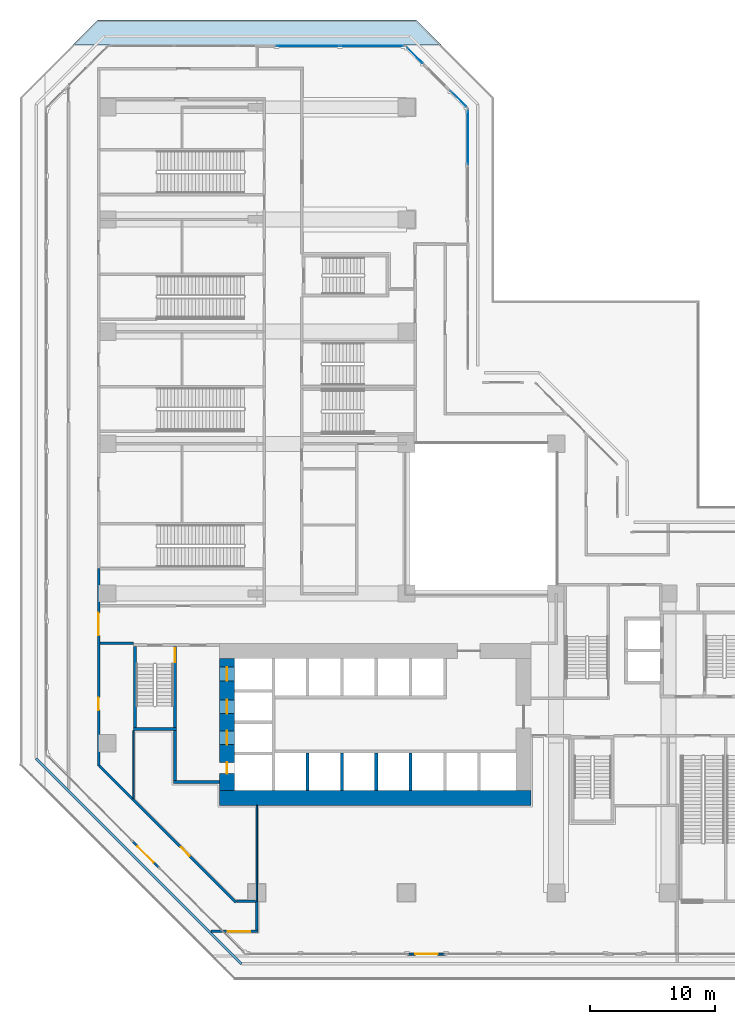
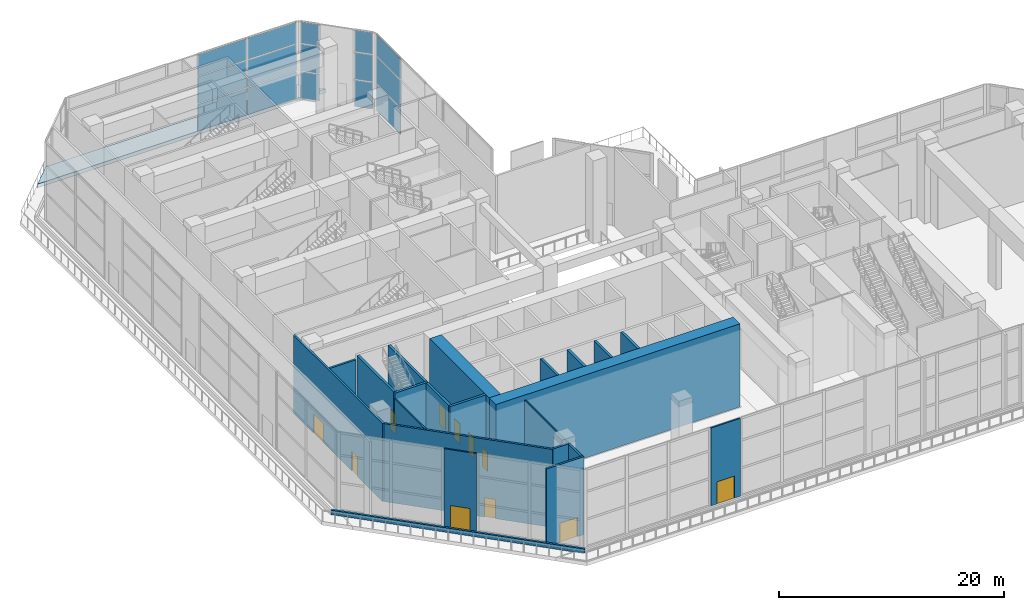
# One storey, part 12 of 28: 22 walls, 15 plates, 11 doors, 1 slab, 11 openings, 4 elements without a shape of their own.
"""IFC4 building model written with IfcOpenShell, lengths in metres."""

import ifcopenshell
import ifcopenshell.guid

model = None  # the IFC model being written
_history = None  # IfcOwnerHistory: only IFC2X3 demands one
_inside = {}  # id of a spatial element -> (the spatial element, [elements in it])
_under = {}  # id of a project, library or spatial element -> (it, [spatial elements below it])
_declared = {}  # id of a project -> (the project, [libraries it declares])
_typed = {}  # id of a type object -> (the type object, [elements of that type])
_made_of = {}  # id of a material, layer set ... -> (it, [elements and type objects made of it])


def new_model(schema):
    """Start an empty IFC model of exactly this schema.

    Asked for "IFC4X3", IfcOpenShell would pick the latest addendum, in which some entities
    have other attributes; the version numbers below select the first issue.
    IFC2X3 requires an IfcOwnerHistory on every rooted entity: one is made here for all.
    """
    global model, _history
    if schema == "IFC4X3":
        model = ifcopenshell.file(schema_version=(4, 3, 0, 0))
    else:
        model = ifcopenshell.file(schema=schema)
    _inside.clear()
    _under.clear()
    _declared.clear()
    _typed.clear()
    _made_of.clear()
    _history = None
    if model.schema == "IFC2X3":
        org = make("IfcOrganization", Name="unknown")
        user = make(
            "IfcPersonAndOrganization",
            ThePerson=make("IfcPerson", FamilyName="unknown"),
            TheOrganization=org,
        )
        app = make(
            "IfcApplication",
            ApplicationDeveloper=org,
            Version="unknown",
            ApplicationFullName="unknown",
            ApplicationIdentifier="unknown",
        )
        _history = make(
            "IfcOwnerHistory",
            OwningUser=user,
            OwningApplication=app,
            ChangeAction="ADDED",
            CreationDate=0,
        )
    return model


def make(cls, **values):
    """One entity of the class cls with the attributes given. An attribute that is None is left unset."""
    return model.create_entity(
        cls, **{name: value for name, value in values.items() if value is not None}
    )


def rooted(cls, **values):
    """An entity with a GlobalId (a new one), such as an element, a storey or a relation."""
    return make(cls, GlobalId=ifcopenshell.guid.new(), OwnerHistory=_history, **values)


def si_unit(unit_type, name, prefix=None):
    """IfcSIUnit, for example si_unit("LENGTHUNIT", "METRE", prefix="MILLI")."""
    return make("IfcSIUnit", UnitType=unit_type, Prefix=prefix, Name=name)


def assignment(units):
    """IfcUnitAssignment: the units of a project."""
    return None if units is None else make("IfcUnitAssignment", Units=units)


def point(xyz):
    """IfcCartesianPoint."""
    return None if xyz is None else make("IfcCartesianPoint", Coordinates=xyz)


def direction(xyz):
    """IfcDirection."""
    return None if xyz is None else make("IfcDirection", DirectionRatios=xyz)


def frame(location, z_axis=None, x_axis=None):
    """IfcAxis2Placement3D, a coordinate frame: its origin and axes. An axis left out is left unset."""
    return make(
        "IfcAxis2Placement3D",
        Location=point(location),
        Axis=direction(z_axis),
        RefDirection=direction(x_axis),
    )


def frame_2d(location, x_axis=None):
    """IfcAxis2Placement2D, a coordinate frame in the plane: its origin and x axis."""
    return make(
        "IfcAxis2Placement2D", Location=point(location), RefDirection=direction(x_axis)
    )


def origin():
    """The frame at (0, 0, 0) with its axes left unset."""
    return frame((0.0, 0.0, 0.0))


def origin_2d():
    """The frame at (0, 0) in the plane with its x axis left unset."""
    return frame_2d((0.0, 0.0))


def place(relative_to, where):
    """IfcLocalPlacement: puts the frame where relative to a parent placement (None: the world)."""
    return make(
        "IfcLocalPlacement", PlacementRelTo=relative_to, RelativePlacement=where
    )


def context(
    kind, dimensions, precision=None, world=None, true_north=None, identifier=None
):
    """IfcGeometricRepresentationContext, for example the 3D "Model" context."""
    return make(
        "IfcGeometricRepresentationContext",
        ContextIdentifier=identifier,
        ContextType=kind,
        CoordinateSpaceDimension=dimensions,
        Precision=precision,
        WorldCoordinateSystem=world,
        TrueNorth=true_north,
    )


def subcontext(parent, identifier, kind, view, scale=None):
    """IfcGeometricRepresentationSubContext, for example "Body" below "Model"."""
    return make(
        "IfcGeometricRepresentationSubContext",
        ContextIdentifier=identifier,
        ContextType=kind,
        ParentContext=parent,
        TargetScale=scale,
        TargetView=view,
    )


def project(units=None, contexts=None):
    """IfcProject with its units and contexts."""
    return rooted(
        "IfcProject",
        Name="project",
        RepresentationContexts=contexts,
        UnitsInContext=assignment(units),
    )


def spatial(cls, under=None, at=None, **own):
    """A site, building, storey or space (cls), placed at a placement, below another one or the project."""
    s = rooted(cls, ObjectPlacement=at, **own)
    if under is not None:
        _under.setdefault(under.id(), (under, []))[1].append(s)
    return s


def polyline(points):
    """IfcPolyline through the points."""
    return make("IfcPolyline", Points=[point(p) for p in points])


def profile(cls, at=None, kind="AREA", **sizes):
    """A parametric profile (cls). Its sizes go by their IFC names, for example OverallWidth=200.0."""
    return make(cls, ProfileType=kind, Position=at, **sizes)


def rectangle(**sizes):
    """IfcRectangleProfileDef."""
    return profile("IfcRectangleProfileDef", **sizes)


def outline(outer, holes=None, kind="AREA"):
    """IfcArbitraryClosedProfileDef: a profile drawn as a closed curve; with holes, ...WithVoids."""
    if holes is None:
        return make("IfcArbitraryClosedProfileDef", ProfileType=kind, OuterCurve=outer)
    return make(
        "IfcArbitraryProfileDefWithVoids",
        ProfileType=kind,
        OuterCurve=outer,
        InnerCurves=holes,
    )


def extrude(swept, where, along, depth):
    """IfcExtrudedAreaSolid: the profile swept, set in the frame where, extruded along a direction by depth."""
    return make(
        "IfcExtrudedAreaSolid",
        SweptArea=swept,
        Position=where,
        ExtrudedDirection=direction(along),
        Depth=depth,
    )


def shape(context_of_items, identifier, shape_type, items):
    """IfcShapeRepresentation: the items that make up one representation, for example the "Body"."""
    return make(
        "IfcShapeRepresentation",
        ContextOfItems=context_of_items,
        RepresentationIdentifier=identifier,
        RepresentationType=shape_type,
        Items=items,
    )


def material(Name=None, Category=None):
    """IfcMaterial."""
    return make("IfcMaterial", Name=Name, Category=Category)


def layer(
    of_material, thickness, ventilated=None, Name=None, Category=None, Priority=None
):
    """IfcMaterialLayer: one layer of a wall or slab, of a material (None: an air gap)."""
    return make(
        "IfcMaterialLayer",
        Material=of_material,
        LayerThickness=thickness,
        IsVentilated=ventilated,
        Name=Name,
        Category=Category,
        Priority=Priority,
    )


def layer_set(layers, Name=None):
    """IfcMaterialLayerSet."""
    return make("IfcMaterialLayerSet", MaterialLayers=layers, LayerSetName=Name)


def made_of(thing, what):
    """Note that an element or type object is made of a material, layer set ...; save() writes the relation."""
    if what is not None:
        _made_of.setdefault(what.id(), (what, []))[1].append(thing)
    return thing


def type_object(cls, material=None, **own):
    """A type object (cls), such as IfcWallType, which elements share."""
    return made_of(rooted(cls, **own), material)


def element(
    cls,
    number,
    at=None,
    inside=None,
    cuts=None,
    type_object=None,
    material=None,
    context=None,
    identifier="Body",
    shape_type=None,
    held_by="IfcProductDefinitionShape",
    body=None,
    shapes=None,
    **own,
):
    """One element of the class cls, such as IfcWall. Its Tag is "e" and its number.

    at: its placement. inside: the storey or other place that contains it. cuts: it is an
    opening in that element (IfcRelVoidsElement). A single representation is given by context,
    identifier, shape_type and body (its items); several are given by shapes. held_by: the class
    of the entity that holds the representations. save() writes the other relations.
    """
    e = rooted(cls, Tag="e%d" % number, ObjectPlacement=at, **own)
    if body is not None:
        shapes = [shape(context, identifier, shape_type, body)]
    if shapes is not None:
        e.Representation = make(held_by, Representations=shapes)
    if inside is not None:
        _inside.setdefault(inside.id(), (inside, []))[1].append(e)
    if cuts is not None:
        rooted(
            "IfcRelVoidsElement", RelatingBuildingElement=cuts, RelatedOpeningElement=e
        )
    if type_object is not None:
        _typed.setdefault(type_object.id(), (type_object, []))[1].append(e)
    return made_of(e, material)


def fill(opening, filler):
    """IfcRelFillsElement: the door or window that sits in an opening."""
    return rooted(
        "IfcRelFillsElement",
        RelatingOpeningElement=opening,
        RelatedBuildingElement=filler,
    )


def aggregate(whole, parts):
    """IfcRelAggregates: a whole, such as a stair, and the parts it consists of."""
    return rooted("IfcRelAggregates", RelatingObject=whole, RelatedObjects=parts)


def save(model, path):
    """Write the relations noted so far, then the file.

    IfcRelAggregates (storeys below a building ...), IfcRelContainedInSpatialStructure (elements
    in a storey), IfcRelDefinesByType, IfcRelAssociatesMaterial and IfcRelDeclares: one each for
    every whole, place, type object, material and project.
    """
    for whole, parts in _under.values():
        aggregate(whole, parts)
    for where, things in _inside.values():
        rooted(
            "IfcRelContainedInSpatialStructure",
            RelatedElements=things,
            RelatingStructure=where,
        )
    for kind, things in _typed.values():
        rooted("IfcRelDefinesByType", RelatedObjects=things, RelatingType=kind)
    for what, things in _made_of.values():
        rooted("IfcRelAssociatesMaterial", RelatedObjects=things, RelatingMaterial=what)
    for by, libraries in _declared.values():
        rooted("IfcRelDeclares", RelatingContext=by, RelatedDefinitions=libraries)
    model.write(path)


model = new_model("IFC4")

# Units and contexts
model_context = context("Model", 3, precision=1e-05, world=origin(), true_north=direction((0.0, 1.0)))
body_context = subcontext(model_context, "Body", "Model", "MODEL_VIEW")
ifc_project = project(units=[si_unit("LENGTHUNIT", "METRE"), si_unit("AREAUNIT", "SQUARE_METRE"), si_unit("VOLUMEUNIT", "CUBIC_METRE"), si_unit("PLANEANGLEUNIT", "RADIAN"), si_unit("MASSUNIT", "GRAM", prefix="KILO")], contexts=[model_context])

# Site, building, storey
site_placement = place(None, origin())
site = spatial("IfcSite", under=ifc_project, at=site_placement, CompositionType="ELEMENT")
building_placement = place(site_placement, origin())
building = spatial("IfcBuilding", under=site, at=building_placement, Name="Chenar Terraces", CompositionType="ELEMENT")
storey_placement = place(building_placement, frame((0.0, 0.0, 26.39990234375)))
storey = spatial("IfcBuildingStorey", under=building, at=storey_placement, Name="L05", CompositionType="ELEMENT", Elevation=26.39990234375)

# Curtain wall, plates
ifc_material_1 = material(Name="Aluminium framed glazing", Category="aluminium")
ifc_layer_1 = layer(ifc_material_1, 0.14990234375)
ifc_layer_set_1 = layer_set([ifc_layer_1], Name="Aluminium framed glazing")
curtain_wall_type = type_object("IfcCurtainWallType", Name="Hall curtain wall", PredefinedType="NOTDEFINED", material=ifc_layer_set_1)
placement = place(storey_placement, origin())
curtain_wall_1 = element("IfcCurtainWall", 1, at=placement, inside=storey, type_object=curtain_wall_type, Name="Hall curtain wall", PredefinedType="NOTDEFINED")
ifc_material_2 = material(Name="Low emissivity laminated glass, solar control coating", Category="glass")
ifc_layer_2 = layer(ifc_material_2, 0.035888671875)
ifc_layer_set_2 = layer_set([ifc_layer_2], Name="Low emissivity laminated glass, solar control coating")
plate_type = type_object("IfcPlateType", Name="Hall glazing panel 36", PredefinedType="CURTAIN_PANEL", material=ifc_layer_set_2)
plate_1_placement = place(storey_placement, frame((28.925048828125, 60.56787109375, 0.09033203125), z_axis=(0.0, 0.0, 1.0), x_axis=(0.0, 1.0, 0.0)))
plate_1 = element("IfcPlate", 2, at=plate_1_placement, type_object=plate_type, Name="CW5-06c1 panel 2.1", PredefinedType="CURTAIN_PANEL", context=body_context, shape_type="SweptSolid", body=[
    extrude(rectangle(XDim=4.28369140625, YDim=0.035888671875, at=origin_2d()), origin(), (0.0, 0.0, 1.0), 2.864990234375),
])
plate_2_placement = place(storey_placement, frame((28.925048828125, 60.56787109375, 3.044921875), z_axis=(0.0, 0.0, 1.0), x_axis=(0.0, 1.0, 0.0)))
plate_2 = element("IfcPlate", 3, at=plate_2_placement, type_object=plate_type, Name="CW5-06c1 panel 2.2", PredefinedType="CURTAIN_PANEL", context=body_context, shape_type="SweptSolid", body=[
    extrude(rectangle(XDim=4.28369140625, YDim=0.035888671875, at=origin_2d()), origin(), (0.0, 0.0, 1.0), 2.909912109375),
])
plate_3_placement = place(storey_placement, frame((28.925048828125, 60.56787109375, 6.045166015625), z_axis=(0.0, 0.0, 1.0), x_axis=(0.0, 1.0, 0.0)))
plate_3 = element("IfcPlate", 4, at=plate_3_placement, type_object=plate_type, Name="CW5-06c1 panel 2.3", PredefinedType="CURTAIN_PANEL", context=body_context, shape_type="SweptSolid", body=[
    extrude(rectangle(XDim=4.28369140625, YDim=0.035888671875, at=origin_2d()), origin(), (0.0, 0.0, 1.0), 2.31494140625),
])
aggregate(curtain_wall_1, [plate_1, plate_2, plate_3])

curtain_wall_2 = element("IfcCurtainWall", 5, at=placement, inside=storey, type_object=curtain_wall_type, Name="Hall curtain wall", PredefinedType="NOTDEFINED")
plate_4_placement = place(storey_placement, frame((28.166015625, 63.677490234375, 0.09033203125), z_axis=(0.0, 0.0, 1.0), x_axis=(-0.707106781187, 0.707106781187, 0.0)))
plate_4 = element("IfcPlate", 6, at=plate_4_placement, type_object=plate_type, Name="CW5-07c0 panel 1.1", PredefinedType="CURTAIN_PANEL", context=body_context, shape_type="SweptSolid", body=[
    extrude(rectangle(XDim=1.728515625, YDim=0.035888671875, at=origin_2d()), origin(), (0.0, 0.0, 1.0), 2.864990234375),
])
plate_5_placement = place(storey_placement, frame((28.166015625, 63.677490234375, 3.044921875), z_axis=(0.0, 0.0, 1.0), x_axis=(-0.707106781187, 0.707106781187, 0.0)))
plate_5 = element("IfcPlate", 7, at=plate_5_placement, type_object=plate_type, Name="CW5-07c0 panel 1.2", PredefinedType="CURTAIN_PANEL", context=body_context, shape_type="SweptSolid", body=[
    extrude(rectangle(XDim=1.728515625, YDim=0.035888671875, at=origin_2d()), origin(), (0.0, 0.0, 1.0), 2.909912109375),
])
plate_6_placement = place(storey_placement, frame((28.166015625, 63.677490234375, 6.045166015625), z_axis=(0.0, 0.0, 1.0), x_axis=(-0.707106781187, 0.707106781187, 0.0)))
plate_6 = element("IfcPlate", 8, at=plate_6_placement, type_object=plate_type, Name="CW5-07c0 panel 1.3", PredefinedType="CURTAIN_PANEL", context=body_context, shape_type="SweptSolid", body=[
    extrude(rectangle(XDim=1.728515625, YDim=0.035888671875, at=origin_2d()), origin(), (0.0, 0.0, 1.0), 2.31494140625),
])
aggregate(curtain_wall_2, [plate_4, plate_5, plate_6])

curtain_wall_3 = element("IfcCurtainWall", 9, at=placement, inside=storey, type_object=curtain_wall_type, Name="Hall curtain wall", PredefinedType="NOTDEFINED")
plate_7_placement = place(storey_placement, frame((24.677490234375, 67.166015625, 0.09033203125), z_axis=(0.0, 0.0, 1.0), x_axis=(-0.707106781187, 0.707106781187, 0.0)))
plate_7 = element("IfcPlate", 10, at=plate_7_placement, type_object=plate_type, Name="CW5-07c1 panel 1.1", PredefinedType="CURTAIN_PANEL", context=body_context, shape_type="SweptSolid", body=[
    extrude(rectangle(XDim=1.728515625, YDim=0.035888671875, at=origin_2d()), origin(), (0.0, 0.0, 1.0), 2.864990234375),
])
plate_8_placement = place(storey_placement, frame((24.677490234375, 67.166015625, 3.044921875), z_axis=(0.0, 0.0, 1.0), x_axis=(-0.707106781187, 0.707106781187, 0.0)))
plate_8 = element("IfcPlate", 11, at=plate_8_placement, type_object=plate_type, Name="CW5-07c1 panel 1.2", PredefinedType="CURTAIN_PANEL", context=body_context, shape_type="SweptSolid", body=[
    extrude(rectangle(XDim=1.728515625, YDim=0.035888671875, at=origin_2d()), origin(), (0.0, 0.0, 1.0), 2.909912109375),
])
plate_9_placement = place(storey_placement, frame((24.677490234375, 67.166015625, 6.045166015625), z_axis=(0.0, 0.0, 1.0), x_axis=(-0.707106781187, 0.707106781187, 0.0)))
plate_9 = element("IfcPlate", 12, at=plate_9_placement, type_object=plate_type, Name="CW5-07c1 panel 1.3", PredefinedType="CURTAIN_PANEL", context=body_context, shape_type="SweptSolid", body=[
    extrude(rectangle(XDim=1.728515625, YDim=0.035888671875, at=origin_2d()), origin(), (0.0, 0.0, 1.0), 2.31494140625),
])
aggregate(curtain_wall_3, [plate_7, plate_8, plate_9])

curtain_wall_4 = element("IfcCurtainWall", 13, at=placement, inside=storey, type_object=curtain_wall_type, Name="Hall curtain wall", PredefinedType="NOTDEFINED")
plate_10_placement = place(storey_placement, frame((21.205322265625, 67.925048828125, 0.09033203125), z_axis=(0.0, 0.0, 1.0), x_axis=(-1.0, 0.0, 0.0)))
plate_10 = element("IfcPlate", 14, at=plate_10_placement, type_object=plate_type, Name="CW5-08c0 panel 1.1", PredefinedType="CURTAIN_PANEL", context=body_context, shape_type="SweptSolid", body=[
    extrude(rectangle(XDim=5.008544921875, YDim=0.035888671875, at=origin_2d()), origin(), (0.0, 0.0, 1.0), 2.864990234375),
])
plate_11_placement = place(storey_placement, frame((21.205322265625, 67.925048828125, 3.044921875), z_axis=(0.0, 0.0, 1.0), x_axis=(-1.0, 0.0, 0.0)))
plate_11 = element("IfcPlate", 15, at=plate_11_placement, type_object=plate_type, Name="CW5-08c0 panel 1.2", PredefinedType="CURTAIN_PANEL", context=body_context, shape_type="SweptSolid", body=[
    extrude(rectangle(XDim=5.008544921875, YDim=0.035888671875, at=origin_2d()), origin(), (0.0, 0.0, 1.0), 2.909912109375),
])
plate_12_placement = place(storey_placement, frame((21.205322265625, 67.925048828125, 6.045166015625), z_axis=(0.0, 0.0, 1.0), x_axis=(-1.0, 0.0, 0.0)))
plate_12 = element("IfcPlate", 16, at=plate_12_placement, type_object=plate_type, Name="CW5-08c0 panel 1.3", PredefinedType="CURTAIN_PANEL", context=body_context, shape_type="SweptSolid", body=[
    extrude(rectangle(XDim=5.008544921875, YDim=0.035888671875, at=origin_2d()), origin(), (0.0, 0.0, 1.0), 2.31494140625),
])
plate_13_placement = place(storey_placement, frame((16.106689453125, 67.925048828125, 0.09033203125), z_axis=(0.0, 0.0, 1.0), x_axis=(-1.0, 0.0, 0.0)))
plate_13 = element("IfcPlate", 17, at=plate_13_placement, type_object=plate_type, Name="CW5-08c0 panel 2.1", PredefinedType="CURTAIN_PANEL", context=body_context, shape_type="SweptSolid", body=[
    extrude(rectangle(XDim=5.008544921875, YDim=0.035888671875, at=origin_2d()), origin(), (0.0, 0.0, 1.0), 2.864990234375),
])
plate_14_placement = place(storey_placement, frame((16.106689453125, 67.925048828125, 3.044921875), z_axis=(0.0, 0.0, 1.0), x_axis=(-1.0, 0.0, 0.0)))
plate_14 = element("IfcPlate", 18, at=plate_14_placement, type_object=plate_type, Name="CW5-08c0 panel 2.2", PredefinedType="CURTAIN_PANEL", context=body_context, shape_type="SweptSolid", body=[
    extrude(rectangle(XDim=5.008544921875, YDim=0.035888671875, at=origin_2d()), origin(), (0.0, 0.0, 1.0), 2.909912109375),
])
plate_15_placement = place(storey_placement, frame((16.106689453125, 67.925048828125, 6.045166015625), z_axis=(0.0, 0.0, 1.0), x_axis=(-1.0, 0.0, 0.0)))
plate_15 = element("IfcPlate", 19, at=plate_15_placement, type_object=plate_type, Name="CW5-08c0 panel 2.3", PredefinedType="CURTAIN_PANEL", context=body_context, shape_type="SweptSolid", body=[
    extrude(rectangle(XDim=5.008544921875, YDim=0.035888671875, at=origin_2d()), origin(), (0.0, 0.0, 1.0), 2.31494140625),
])
aggregate(curtain_wall_4, [plate_10, plate_11, plate_12, plate_13, plate_14, plate_15])

# Slab
ifc_material_3 = material(Name="Concrete C40/50", Category="concrete")
ifc_layer_3 = layer(ifc_material_3, 0.39990234375)
ifc_layer_set_3 = layer_set([ifc_layer_3], Name="Concrete C40/50")
slab_type = type_object("IfcSlabType", Name="Terrace slab 400 Concrete C40/50", PredefinedType="FLOOR", material=ifc_layer_set_3)
slab_placement = place(storey_placement, frame((0.0, 0.0, -0.39990234375)))
element("IfcSlab", 20, at=slab_placement, inside=storey, type_object=slab_type, Name="Terrace slab L05 4.1", PredefinedType="FLOOR", context=body_context, shape_type="SweptSolid", body=[
    extrude(outline(polyline([(-0.7783203125, 70.0), (24.7783203125, 70.0), (26.7783203125, 68.0), (23.94970703125, 68.0), (0.05029296875, 68.0), (-2.7783203125, 68.0), (-0.7783203125, 70.0)])), origin(), (0.0, 0.0, 1.0), 0.39990234375),
])

# Walls
ifc_material_4 = material(Name="Gypsum board on steel studs with mineral wool", Category="steel")
ifc_layer_4 = layer(ifc_material_4, 0.125)
ifc_layer_set_4 = layer_set([ifc_layer_4], Name="Gypsum board on steel studs with mineral wool")
wall_type_1 = type_object("IfcWallType", Name="Acoustic partition 125", PredefinedType="PARTITIONING", material=ifc_layer_set_4)
wall_1_placement = place(storey_placement, frame((2.10009765625, 7.550048828125, 0.0), z_axis=(0.0, 0.0, 1.0), x_axis=(0.0, 1.0, 0.0)))
element("IfcWall", 21, at=wall_1_placement, inside=storey, type_object=wall_type_1, Name="Partition L05-025", PredefinedType="PARTITIONING", context=body_context, shape_type="SweptSolid", body=[
    extrude(rectangle(XDim=5.449951171875, YDim=0.125, at=frame_2d((2.72509765625, 0.0))), origin(), (0.0, 0.0, 1.0), 8.4501953125),
])
wall_2_placement = place(storey_placement, frame((12.0, -0.699951171875, 0.0), z_axis=(0.0, 0.0, 1.0), x_axis=(0.0, 1.0, 0.0)))
element("IfcWall", 22, at=wall_2_placement, inside=storey, type_object=wall_type_1, Name="Partition L05-034", PredefinedType="PARTITIONING", context=body_context, shape_type="SweptSolid", body=[
    extrude(rectangle(XDim=7.699951171875, YDim=0.125, at=frame_2d((3.85009765625, 0.0))), origin(), (0.0, 0.0, 1.0), 8.4501953125),
])
ifc_material_5 = material(Name="Concrete C70/85", Category="concrete")
ifc_layer_5 = layer(ifc_material_5, 1.199951171875)
ifc_layer_set_5 = layer_set([ifc_layer_5], Name="Concrete C70/85")
wall_type_2 = type_object("IfcWallType", Name="Core wall 1200 Concrete C70/85", PredefinedType="SHEAR", material=ifc_layer_set_5)
wall_3_placement = place(storey_placement, frame((9.0, 7.60009765625, 0.0), z_axis=(0.0, 0.0, 1.0), x_axis=(1.0, 0.0, 0.0)))
element("IfcWall", 23, at=wall_3_placement, inside=storey, type_object=wall_type_2, Name="Core wall S L05", PredefinedType="SHEAR", context=body_context, shape_type="SweptSolid", body=[
    extrude(rectangle(XDim=25.0, YDim=1.199951171875, at=frame_2d((12.5, 0.0))), origin(), (0.0, 0.0, 1.0), 9.0),
])

# Wall, openings, doors
wall_4_placement = place(storey_placement, frame((9.60009765625, 8.199951171875, 0.0), z_axis=(0.0, 0.0, 1.0), x_axis=(0.0, 1.0, 0.0)))
wall_4 = element("IfcWall", 24, at=wall_4_placement, inside=storey, type_object=wall_type_2, Name="Core wall W L05", PredefinedType="SHEAR", context=body_context, shape_type="SweptSolid", body=[
    extrude(rectangle(XDim=10.60009765625, YDim=1.199951171875, at=frame_2d((5.300048828125, 0.0))), origin(), (0.0, 0.0, 1.0), 9.0),
])
opening_1_placement = place(wall_4_placement, frame((3.675048828125, 0.0, 0.0)))
opening_1 = element("IfcOpeningElement", 25, at=opening_1_placement, cuts=wall_4, Name="Opening DL05-LD1", PredefinedType="OPENING", context=body_context, shape_type="SweptSolid", body=[
    extrude(rectangle(XDim=1.10009765625, YDim=2.199951171875, at=frame_2d((0.550048828125, 1.10009765625))), frame((0.0, 0.60986328125, 0.0), z_axis=(0.0, -1.0, 0.0), x_axis=(1.0, 0.0, 0.0)), (0.0, 0.0, 1.0), 1.219970703125),
])
opening_2_placement = place(wall_4_placement, frame((6.175048828125, 0.0, 0.0)))
opening_2 = element("IfcOpeningElement", 26, at=opening_2_placement, cuts=wall_4, Name="Opening DL05-LD2", PredefinedType="OPENING", context=body_context, shape_type="SweptSolid", body=[
    extrude(rectangle(XDim=1.10009765625, YDim=2.199951171875, at=frame_2d((0.550048828125, 1.10009765625))), frame((0.0, 0.60986328125, 0.0), z_axis=(0.0, -1.0, 0.0), x_axis=(1.0, 0.0, 0.0)), (0.0, 0.0, 1.0), 1.219970703125),
])
opening_3_placement = place(wall_4_placement, frame((8.800048828125, 0.0, 0.0)))
opening_3 = element("IfcOpeningElement", 27, at=opening_3_placement, cuts=wall_4, Name="Opening DL05-LD3", PredefinedType="OPENING", context=body_context, shape_type="SweptSolid", body=[
    extrude(rectangle(XDim=1.10009765625, YDim=2.199951171875, at=frame_2d((0.550048828125, 1.10009765625))), frame((0.0, 0.60986328125, 0.0), z_axis=(0.0, -1.0, 0.0), x_axis=(1.0, 0.0, 0.0)), (0.0, 0.0, 1.0), 1.219970703125),
])
opening_4_placement = place(wall_4_placement, frame((1.35009765625, 0.0, 0.0)))
opening_4 = element("IfcOpeningElement", 28, at=opening_4_placement, cuts=wall_4, Name="Opening DL05-C4", PredefinedType="OPENING", context=body_context, shape_type="SweptSolid", body=[
    extrude(rectangle(XDim=0.89990234375, YDim=2.10009765625, at=frame_2d((0.449951171875, 1.050048828125))), frame((0.0, 0.60986328125, 0.0), z_axis=(0.0, -1.0, 0.0), x_axis=(1.0, 0.0, 0.0)), (0.0, 0.0, 1.0), 1.219970703125),
])
ifc_material_6 = material(Name="Stainless steel", Category="steel")
door_type_1 = type_object("IfcDoorType", Name="Lift landing door 1100 x 2200 sliding", OperationType="DOUBLE_DOOR_SLIDING", PredefinedType="DOOR", material=ifc_material_6)
door_1_placement = place(opening_1_placement, origin())
door_1 = element("IfcDoor", 29, at=door_1_placement, inside=storey, type_object=door_type_1, Name="Landing door S1", OperationType="DOUBLE_DOOR_SLIDING", OverallHeight=2.199951171875, OverallWidth=1.10009765625, PredefinedType="DOOR", context=body_context, shape_type="SweptSolid", body=[
    extrude(rectangle(XDim=1.10009765625, YDim=2.199951171875, at=frame_2d((0.550048828125, 1.10009765625))), frame((0.0, 0.02490234375, 0.0), z_axis=(0.0, -1.0, 0.0), x_axis=(1.0, 0.0, 0.0)), (0.0, 0.0, 1.0), 0.050048828125),
])
fill(opening_1, door_1)
door_2_placement = place(opening_2_placement, origin())
door_2 = element("IfcDoor", 30, at=door_2_placement, inside=storey, type_object=door_type_1, Name="Landing door F1", OperationType="DOUBLE_DOOR_SLIDING", OverallHeight=2.199951171875, OverallWidth=1.10009765625, PredefinedType="DOOR", context=body_context, shape_type="SweptSolid", body=[
    extrude(rectangle(XDim=1.10009765625, YDim=2.199951171875, at=frame_2d((0.550048828125, 1.10009765625))), frame((0.0, 0.02490234375, 0.0), z_axis=(0.0, -1.0, 0.0), x_axis=(1.0, 0.0, 0.0)), (0.0, 0.0, 1.0), 0.050048828125),
])
fill(opening_2, door_2)
door_3_placement = place(opening_3_placement, origin())
door_3 = element("IfcDoor", 31, at=door_3_placement, inside=storey, type_object=door_type_1, Name="Landing door F2", OperationType="DOUBLE_DOOR_SLIDING", OverallHeight=2.199951171875, OverallWidth=1.10009765625, PredefinedType="DOOR", context=body_context, shape_type="SweptSolid", body=[
    extrude(rectangle(XDim=1.10009765625, YDim=2.199951171875, at=frame_2d((0.550048828125, 1.10009765625))), frame((0.0, 0.02490234375, 0.0), z_axis=(0.0, -1.0, 0.0), x_axis=(1.0, 0.0, 0.0)), (0.0, 0.0, 1.0), 0.050048828125),
])
fill(opening_3, door_3)
ifc_material_7 = material(Name="Steel-framed fire-resisting door leaf", Category="steel")
door_type_2 = type_object("IfcDoorType", Name="Riser fire door FD60 900 x 2100", OperationType="SINGLE_SWING_LEFT", PredefinedType="DOOR", material=ifc_material_7)
door_4_placement = place(opening_4_placement, frame((0.89990234375, 0.0, 0.0), z_axis=(0.0, 0.0, 1.0), x_axis=(-1.0, 0.0, 0.0)))
door_4 = element("IfcDoor", 32, at=door_4_placement, inside=storey, type_object=door_type_2, Name="Riser door DL05-C4", OperationType="SINGLE_SWING_RIGHT", OverallHeight=2.10009765625, OverallWidth=0.89990234375, PredefinedType="DOOR", context=body_context, shape_type="SweptSolid", body=[
    extrude(rectangle(XDim=0.89990234375, YDim=2.10009765625, at=frame_2d((0.449951171875, 1.050048828125))), frame((0.0, 0.02490234375, 0.0), z_axis=(0.0, -1.0, 0.0), x_axis=(1.0, 0.0, 0.0)), (0.0, 0.0, 1.0), 0.050048828125),
])
fill(opening_4, door_4)

# Walls
ifc_material_8 = material(Name="Concrete C70/85", Category="concrete")
ifc_layer_6 = layer(ifc_material_8, 0.25)
ifc_layer_set_6 = layer_set([ifc_layer_6], Name="Concrete C70/85")
wall_type_3 = type_object("IfcWallType", Name="Core wall 250 Concrete C70/85", PredefinedType="SHEAR", material=ifc_layer_set_6)
for number, where, z_axis, x_axis, name in (
    (33, (16.074951171875, 8.199951171875, 0.0), (0.0, 0.0, 1.0), (0.0, 1.0, 0.0), "Core wall SS0 L05"),
    (34, (18.824951171875, 8.199951171875, 0.0), (0.0, 0.0, 1.0), (0.0, 1.0, 0.0), "Core wall SS1 L05"),
    (35, (21.574951171875, 8.199951171875, 0.0), (0.0, 0.0, 1.0), (0.0, 1.0, 0.0), "Core wall SS2 L05"),
    (36, (24.324951171875, 8.199951171875, 0.0), (0.0, 0.0, 1.0), (0.0, 1.0, 0.0), "Core wall SS3 L05"),
):
    element("IfcWall", number, at=place(storey_placement, frame(where, z_axis=z_axis, x_axis=x_axis)), inside=storey, type_object=wall_type_3, Name=name, PredefinedType="SHEAR", context=body_context, shape_type="SweptSolid", body=[
        extrude(rectangle(XDim=3.0, YDim=0.25, at=frame_2d((1.5, 0.0))), origin(), (0.0, 0.0, 1.0), 9.0),
    ])
wall_5_placement = place(storey_placement, frame((2.10009765625, 13.125, 0.0), z_axis=(0.0, 0.0, 1.0), x_axis=(1.0, 0.0, 0.0)))
element("IfcWall", 37, at=wall_5_placement, inside=storey, type_object=wall_type_3, Name="Core wall ST1_S L05", PredefinedType="SHEAR", context=body_context, shape_type="SweptSolid", body=[
    extrude(rectangle(XDim=3.449951171875, YDim=0.25, at=frame_2d((1.72509765625, 0.0))), origin(), (0.0, 0.0, 1.0), 9.0),
])
wall_6_placement = place(storey_placement, frame((2.22509765625, 13.25, 0.0), z_axis=(0.0, 0.0, 1.0), x_axis=(0.0, 1.0, 0.0)))
element("IfcWall", 38, at=wall_6_placement, inside=storey, type_object=wall_type_3, Name="Core wall ST1_W L05", PredefinedType="SHEAR", context=body_context, shape_type="SweptSolid", body=[
    extrude(rectangle(XDim=6.5, YDim=0.25, at=frame_2d((3.25, 0.0))), origin(), (0.0, 0.0, 1.0), 9.0),
])

# Wall, opening, door
wall_7_placement = place(storey_placement, frame((5.425048828125, 13.25, 0.0), z_axis=(0.0, 0.0, 1.0), x_axis=(0.0, 1.0, 0.0)))
wall_7 = element("IfcWall", 39, at=wall_7_placement, inside=storey, type_object=wall_type_3, Name="Core wall ST1_E L05", PredefinedType="SHEAR", context=body_context, shape_type="SweptSolid", body=[
    extrude(rectangle(XDim=6.5, YDim=0.25, at=frame_2d((3.25, 0.0))), origin(), (0.0, 0.0, 1.0), 9.0),
])
opening_5_placement = place(wall_7_placement, frame((5.25, 0.0, 0.0)))
opening_5 = element("IfcOpeningElement", 40, at=opening_5_placement, cuts=wall_7, Name="Opening DL05-C3", PredefinedType="OPENING", context=body_context, shape_type="SweptSolid", body=[
    extrude(rectangle(XDim=1.10009765625, YDim=2.199951171875, at=frame_2d((0.550048828125, 1.10009765625))), frame((0.0, 0.135009765625, 0.0), z_axis=(0.0, -1.0, 0.0), x_axis=(1.0, 0.0, 0.0)), (0.0, 0.0, 1.0), 0.27001953125),
])
ifc_material_9 = material(Name="Steel-framed fire-resisting door leaf", Category="steel")
door_type_3 = type_object("IfcDoorType", Name="Stair fire door FD60 1100 x 2200", OperationType="SINGLE_SWING_LEFT", PredefinedType="DOOR", material=ifc_material_9)
door_5_placement = place(opening_5_placement, origin())
door_5 = element("IfcDoor", 41, at=door_5_placement, inside=storey, type_object=door_type_3, Name="Stair door DL05-C3", OperationType="SINGLE_SWING_RIGHT", OverallHeight=2.199951171875, OverallWidth=1.10009765625, PredefinedType="DOOR", context=body_context, shape_type="SweptSolid", body=[
    extrude(rectangle(XDim=1.10009765625, YDim=2.199951171875, at=frame_2d((0.550048828125, 1.10009765625))), frame((0.0, 0.02490234375, 0.0), z_axis=(0.0, -1.0, 0.0), x_axis=(1.0, 0.0, 0.0)), (0.0, 0.0, 1.0), 0.050048828125),
])
fill(opening_5, door_5)

# Walls
wall_8_placement = place(storey_placement, frame((5.300048828125, 8.875, 0.0), z_axis=(0.0, 0.0, 1.0), x_axis=(1.0, 0.0, 0.0)))
element("IfcWall", 42, at=wall_8_placement, inside=storey, type_object=wall_type_3, Name="Core wall FFL_S L05", PredefinedType="SHEAR", context=body_context, shape_type="SweptSolid", body=[
    extrude(rectangle(XDim=3.699951171875, YDim=0.25, at=frame_2d((1.85009765625, 0.0))), origin(), (0.0, 0.0, 1.0), 9.0),
])
wall_9_placement = place(storey_placement, frame((5.425048828125, 9.0, 0.0), z_axis=(0.0, 0.0, 1.0), x_axis=(0.0, 1.0, 0.0)))
element("IfcWall", 43, at=wall_9_placement, inside=storey, type_object=wall_type_3, Name="Core wall FFL_W L05", PredefinedType="SHEAR", context=body_context, shape_type="SweptSolid", body=[
    extrude(rectangle(XDim=4.0, YDim=0.25, at=frame_2d((2.0, 0.0))), origin(), (0.0, 0.0, 1.0), 9.0),
])

# Wall, openings, doors
ifc_material_10 = material(Name="Gypsum board on steel studs with fire boards", Category="steel")
ifc_layer_7 = layer(ifc_material_10, 0.199951171875)
ifc_layer_set_7 = layer_set([ifc_layer_7], Name="Gypsum board on steel studs with fire boards")
wall_type_4 = type_object("IfcWallType", Name="Corridor wall 200", PredefinedType="PARTITIONING", material=ifc_layer_set_7)
wall_10_placement = place(storey_placement, frame((-0.699951171875, 10.14990234375, 0.0), z_axis=(0.0, 0.0, 1.0), x_axis=(0.0, 1.0, 0.0)))
wall_10 = element("IfcWall", 44, at=wall_10_placement, inside=storey, type_object=wall_type_4, Name="Partition L05-003", PredefinedType="PARTITIONING", context=body_context, shape_type="SweptSolid", body=[
    extrude(rectangle(XDim=15.85009765625, YDim=0.199951171875, at=frame_2d((7.925048828125, 0.0))), origin(), (0.0, 0.0, 1.0), 8.4501953125),
])
opening_6_placement = place(wall_10_placement, frame((10.5, 0.0, 0.0)))
opening_6 = element("IfcOpeningElement", 45, at=opening_6_placement, cuts=wall_10, Name="Opening DL05-15", PredefinedType="OPENING", context=body_context, shape_type="SweptSolid", body=[
    extrude(rectangle(XDim=1.800048828125, YDim=2.10009765625, at=frame_2d((0.89990234375, 1.050048828125))), frame((0.0, 0.10986328125, 0.0), z_axis=(0.0, -1.0, 0.0), x_axis=(1.0, 0.0, 0.0)), (0.0, 0.0, 1.0), 0.219970703125),
])
opening_7_placement = place(wall_10_placement, frame((4.5, 0.0, 0.0)))
opening_7 = element("IfcOpeningElement", 46, at=opening_7_placement, cuts=wall_10, Name="Opening DL05-16", PredefinedType="OPENING", context=body_context, shape_type="SweptSolid", body=[
    extrude(rectangle(XDim=1.0, YDim=2.10009765625, at=frame_2d((0.5, 1.050048828125))), frame((0.0, 0.10986328125, 0.0), z_axis=(0.0, -1.0, 0.0), x_axis=(1.0, 0.0, 0.0)), (0.0, 0.0, 1.0), 0.219970703125),
])
ifc_material_11 = material(Name="Steel-framed fire-resisting door leaf", Category="steel")
door_type_4 = type_object("IfcDoorType", Name="Fire door FD60 1000 x 2100", OperationType="SINGLE_SWING_LEFT", PredefinedType="DOOR", material=ifc_material_11)
door_6_placement = place(opening_7_placement, frame((1.0, 0.0, 0.0), z_axis=(0.0, 0.0, 1.0), x_axis=(-1.0, 0.0, 0.0)))
door_6 = element("IfcDoor", 47, at=door_6_placement, inside=storey, type_object=door_type_4, Name="Door DL05-16", OperationType="SINGLE_SWING_RIGHT", OverallHeight=2.10009765625, OverallWidth=1.0, PredefinedType="DOOR", context=body_context, shape_type="SweptSolid", body=[
    extrude(rectangle(XDim=1.0, YDim=2.10009765625, at=frame_2d((0.5, 1.050048828125))), frame((0.0, 0.02490234375, 0.0), z_axis=(0.0, -1.0, 0.0), x_axis=(1.0, 0.0, 0.0)), (0.0, 0.0, 1.0), 0.050048828125),
])
fill(opening_7, door_6)
ifc_material_12 = material(Name="Steel-framed fire-resisting door leaf", Category="steel")
door_type_5 = type_object("IfcDoorType", Name="Fire double door FD60 1800 x 2100", OperationType="DOUBLE_DOOR_SINGLE_SWING", PredefinedType="DOOR", material=ifc_material_12)
door_7_placement = place(opening_6_placement, origin())
door_7 = element("IfcDoor", 48, at=door_7_placement, inside=storey, type_object=door_type_5, Name="Door DL05-15", OperationType="DOUBLE_DOOR_SINGLE_SWING", OverallHeight=2.10009765625, OverallWidth=1.800048828125, PredefinedType="DOOR", context=body_context, shape_type="SweptSolid", body=[
    extrude(rectangle(XDim=1.800048828125, YDim=2.10009765625, at=frame_2d((0.89990234375, 1.050048828125))), frame((0.0, 0.02490234375, 0.0), z_axis=(0.0, -1.0, 0.0), x_axis=(1.0, 0.0, 0.0)), (0.0, 0.0, 1.0), 0.050048828125),
])
fill(opening_6, door_7)

# Wall, opening, door
wall_11_placement = place(storey_placement, frame((-0.62890625, 10.178955078125, 0.0), z_axis=(0.0, 0.0, 1.0), x_axis=(0.707106781187, -0.707106781187, 0.0)))
wall_11 = element("IfcWall", 49, at=wall_11_placement, inside=storey, type_object=wall_type_4, Name="Partition L05-012", PredefinedType="PARTITIONING", context=body_context, shape_type="SweptSolid", body=[
    extrude(rectangle(XDim=15.485595703125, YDim=0.199951171875, at=frame_2d((7.74267578125, 0.0))), origin(), (0.0, 0.0, 1.0), 8.4501953125),
])
opening_8_placement = place(wall_11_placement, frame((9.235107421875, 0.0, 0.0)))
opening_8 = element("IfcOpeningElement", 50, at=opening_8_placement, cuts=wall_11, Name="Opening DL05-19", PredefinedType="OPENING", context=body_context, shape_type="SweptSolid", body=[
    extrude(rectangle(XDim=1.0, YDim=2.10009765625, at=frame_2d((0.5, 1.050048828125))), frame((0.0, 0.10986328125, 0.0), z_axis=(0.0, -1.0, 0.0), x_axis=(1.0, 0.0, 0.0)), (0.0, 0.0, 1.0), 0.219970703125),
])
door_8_placement = place(opening_8_placement, origin())
door_8 = element("IfcDoor", 51, at=door_8_placement, inside=storey, type_object=door_type_4, Name="Door DL05-19", OperationType="SINGLE_SWING_RIGHT", OverallHeight=2.10009765625, OverallWidth=1.0, PredefinedType="DOOR", context=body_context, shape_type="SweptSolid", body=[
    extrude(rectangle(XDim=1.0, YDim=2.10009765625, at=frame_2d((0.5, 1.050048828125))), frame((0.0, 0.02490234375, 0.0), z_axis=(0.0, -1.0, 0.0), x_axis=(1.0, 0.0, 0.0)), (0.0, 0.0, 1.0), 0.050048828125),
])
fill(opening_8, door_8)

# Wall
wall_12_placement = place(storey_placement, frame((-0.60009765625, 20.0, 0.0), z_axis=(0.0, 0.0, 1.0), x_axis=(1.0, 0.0, 0.0)))
element("IfcWall", 52, at=wall_12_placement, inside=storey, type_object=wall_type_4, Name="Partition L05-013", PredefinedType="PARTITIONING", context=body_context, shape_type="SweptSolid", body=[
    extrude(rectangle(XDim=2.7001953125, YDim=0.199951171875, at=frame_2d((1.35009765625, 0.0))), origin(), (0.0, 0.0, 1.0), 8.4501953125),
])

# Wall, opening, door
wall_13_placement = place(storey_placement, frame((8.3017578125, -3.10009765625, 0.0), z_axis=(0.0, 0.0, 1.0), x_axis=(1.0, 0.0, 0.0)))
wall_13 = element("IfcWall", 53, at=wall_13_placement, inside=storey, type_object=wall_type_4, Name="Partition L05-031", PredefinedType="PARTITIONING", context=body_context, shape_type="SweptSolid", body=[
    extrude(rectangle(XDim=3.79833984375, YDim=0.199951171875, at=frame_2d((1.899169921875, 0.0))), origin(), (0.0, 0.0, 1.0), 8.4501953125),
])
opening_9_placement = place(wall_13_placement, frame((1.35400390625, 0.0, 0.0)))
opening_9 = element("IfcOpeningElement", 54, at=opening_9_placement, cuts=wall_13, Name="Opening DL05-1", PredefinedType="OPENING", context=body_context, shape_type="SweptSolid", body=[
    extrude(rectangle(XDim=1.800048828125, YDim=2.10009765625, at=frame_2d((0.89990234375, 1.050048828125))), frame((0.0, 0.10986328125, 0.0), z_axis=(0.0, -1.0, 0.0), x_axis=(1.0, 0.0, 0.0)), (0.0, 0.0, 1.0), 0.219970703125),
])
door_9_placement = place(opening_9_placement, origin())
door_9 = element("IfcDoor", 55, at=door_9_placement, inside=storey, type_object=door_type_5, Name="Door DL05-1", OperationType="DOUBLE_DOOR_SINGLE_SWING", OverallHeight=2.10009765625, OverallWidth=1.800048828125, PredefinedType="DOOR", context=body_context, shape_type="SweptSolid", body=[
    extrude(rectangle(XDim=1.800048828125, YDim=2.10009765625, at=frame_2d((0.89990234375, 1.050048828125))), frame((0.0, 0.02490234375, 0.0), z_axis=(0.0, -1.0, 0.0), x_axis=(1.0, 0.0, 0.0)), (0.0, 0.0, 1.0), 0.050048828125),
])
fill(opening_9, door_9)

# Walls
wall_14_placement = place(storey_placement, frame((10.35009765625, -0.699951171875, 0.0), z_axis=(0.0, 0.0, 1.0), x_axis=(1.0, 0.0, 0.0)))
element("IfcWall", 56, at=wall_14_placement, inside=storey, type_object=wall_type_4, Name="Partition L05-032", PredefinedType="PARTITIONING", context=body_context, shape_type="SweptSolid", body=[
    extrude(rectangle(XDim=1.5498046875, YDim=0.199951171875, at=frame_2d((0.77490234375, 0.0))), origin(), (0.0, 0.0, 1.0), 8.4501953125),
])
wall_15_placement = place(storey_placement, frame((12.0, -3.0, 0.0), z_axis=(0.0, 0.0, 1.0), x_axis=(0.0, 1.0, 0.0)))
element("IfcWall", 57, at=wall_15_placement, inside=storey, type_object=wall_type_4, Name="Partition L05-033", PredefinedType="PARTITIONING", context=body_context, shape_type="SweptSolid", body=[
    extrude(rectangle(XDim=2.300048828125, YDim=0.199951171875, at=frame_2d((1.14990234375, 0.0))), origin(), (0.0, 0.0, 1.0), 8.4501953125),
])

# Wall, opening, door
ifc_material_13 = material(Name="Aluminium framed glazing", Category="aluminium")
ifc_layer_8 = layer(ifc_material_13, 0.14990234375)
ifc_layer_set_8 = layer_set([ifc_layer_8], Name="Aluminium framed glazing")
wall_type_5 = type_object("IfcWallType", Name="Podium glazed wall 150", PredefinedType="SOLIDWALL", material=ifc_layer_set_8)
wall_16_placement = place(storey_placement, frame((2.017578125, 4.138916015625, 0.0), z_axis=(0.0, 0.0, 1.0), x_axis=(0.707106781187, -0.707106781187, 0.0)))
wall_16 = element("IfcWall", 58, at=wall_16_placement, inside=storey, type_object=wall_type_5, Name="Podium glazed wall", PredefinedType="SOLIDWALL", context=body_context, shape_type="SweptSolid", body=[
    extrude(rectangle(XDim=3.0, YDim=0.14990234375, at=frame_2d((1.5, 0.0))), origin(), (0.0, 0.0, 1.0), 8.4501953125),
])
opening_10_placement = place(wall_16_placement, frame((0.60009765625, 0.0, 0.0)))
opening_10 = element("IfcOpeningElement", 59, at=opening_10_placement, cuts=wall_16, Name="Opening DL05-T1", PredefinedType="OPENING", context=body_context, shape_type="SweptSolid", body=[
    extrude(rectangle(XDim=1.800048828125, YDim=2.39990234375, at=frame_2d((0.89990234375, 1.199951171875))), frame((0.0, 0.0849609375, 0.0), z_axis=(0.0, -1.0, 0.0), x_axis=(1.0, 0.0, 0.0)), (0.0, 0.0, 1.0), 0.169921875),
])
ifc_material_14 = material(Name="Low emissivity double glazing, aluminium frame", Category="aluminium")
door_type_6 = type_object("IfcDoorType", Name="Terrace glazed double door 1800 x 2400", OperationType="DOUBLE_DOOR_SINGLE_SWING", PredefinedType="DOOR", material=ifc_material_14)
door_10_placement = place(opening_10_placement, frame((1.800048828125, 0.0, 0.0), z_axis=(0.0, 0.0, 1.0), x_axis=(-1.0, 0.0, 0.0)))
door_10 = element("IfcDoor", 60, at=door_10_placement, inside=storey, type_object=door_type_6, Name="Terrace glazed door", OperationType="DOUBLE_DOOR_SINGLE_SWING", OverallHeight=2.39990234375, OverallWidth=1.800048828125, PredefinedType="DOOR", context=body_context, shape_type="SweptSolid", body=[
    extrude(rectangle(XDim=1.800048828125, YDim=2.39990234375, at=frame_2d((0.89990234375, 1.199951171875))), frame((0.0, 0.02490234375, 0.0), z_axis=(0.0, -1.0, 0.0), x_axis=(1.0, 0.0, 0.0)), (0.0, 0.0, 1.0), 0.050048828125),
])
fill(opening_10, door_10)

wall_17_placement = place(storey_placement, frame((24.10009765625, -4.925048828125, 0.0), z_axis=(0.0, 0.0, 1.0), x_axis=(1.0, 0.0, 0.0)))
wall_17 = element("IfcWall", 61, at=wall_17_placement, inside=storey, type_object=wall_type_5, Name="Podium glazed wall", PredefinedType="SOLIDWALL", context=body_context, shape_type="SweptSolid", body=[
    extrude(rectangle(XDim=3.0, YDim=0.14990234375, at=frame_2d((1.5, 0.0))), origin(), (0.0, 0.0, 1.0), 8.4501953125),
])
opening_11_placement = place(wall_17_placement, frame((0.60009765625, 0.0, 0.0)))
opening_11 = element("IfcOpeningElement", 62, at=opening_11_placement, cuts=wall_17, Name="Opening DL05-T1", PredefinedType="OPENING", context=body_context, shape_type="SweptSolid", body=[
    extrude(rectangle(XDim=1.800048828125, YDim=2.39990234375, at=frame_2d((0.89990234375, 1.199951171875))), frame((0.0, 0.0849609375, 0.0), z_axis=(0.0, -1.0, 0.0), x_axis=(1.0, 0.0, 0.0)), (0.0, 0.0, 1.0), 0.169921875),
])
door_11_placement = place(opening_11_placement, frame((1.800048828125, 0.0, 0.0), z_axis=(0.0, 0.0, 1.0), x_axis=(-1.0, 0.0, 0.0)))
door_11 = element("IfcDoor", 63, at=door_11_placement, inside=storey, type_object=door_type_6, Name="Terrace glazed door", OperationType="DOUBLE_DOOR_SINGLE_SWING", OverallHeight=2.39990234375, OverallWidth=1.800048828125, PredefinedType="DOOR", context=body_context, shape_type="SweptSolid", body=[
    extrude(rectangle(XDim=1.800048828125, YDim=2.39990234375, at=frame_2d((0.89990234375, 1.199951171875))), frame((0.0, 0.02490234375, 0.0), z_axis=(0.0, -1.0, 0.0), x_axis=(1.0, 0.0, 0.0)), (0.0, 0.0, 1.0), 0.050048828125),
])
fill(opening_11, door_11)

# Wall
ifc_material_15 = material(Name="Terracotta cladding on insulated backing", Category="masonry")
ifc_layer_9 = layer(ifc_material_15, 0.199951171875)
ifc_layer_set_9 = layer_set([ifc_layer_9], Name="Terracotta cladding on insulated backing")
wall_type_6 = type_object("IfcWallType", Name="Terrace parapet upstand 200", PredefinedType="PARAPET", material=ifc_layer_set_9)
wall_18_placement = place(storey_placement, frame((10.76025390625, -5.699951171875, 0.0), z_axis=(0.0, 0.0, 1.0), x_axis=(-0.707106781187, 0.707106781187, 0.0)))
element("IfcWall", 64, at=wall_18_placement, inside=storey, type_object=wall_type_6, Name="Terrace parapet", PredefinedType="PARAPET", context=body_context, shape_type="SweptSolid", body=[
    extrude(rectangle(XDim=23.2783203125, YDim=0.199951171875, at=frame_2d((11.63916015625, 0.0))), origin(), (0.0, 0.0, 1.0), 0.5),
])

save(model, "model.ifc")
